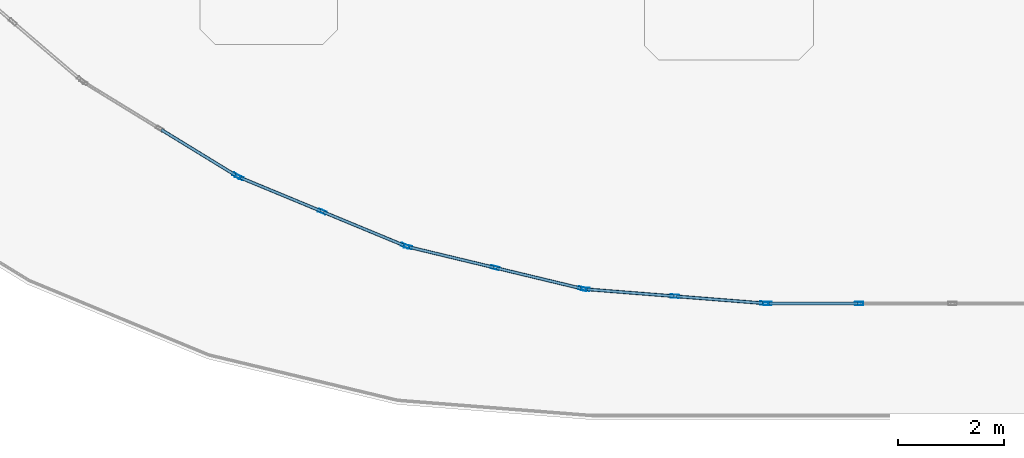
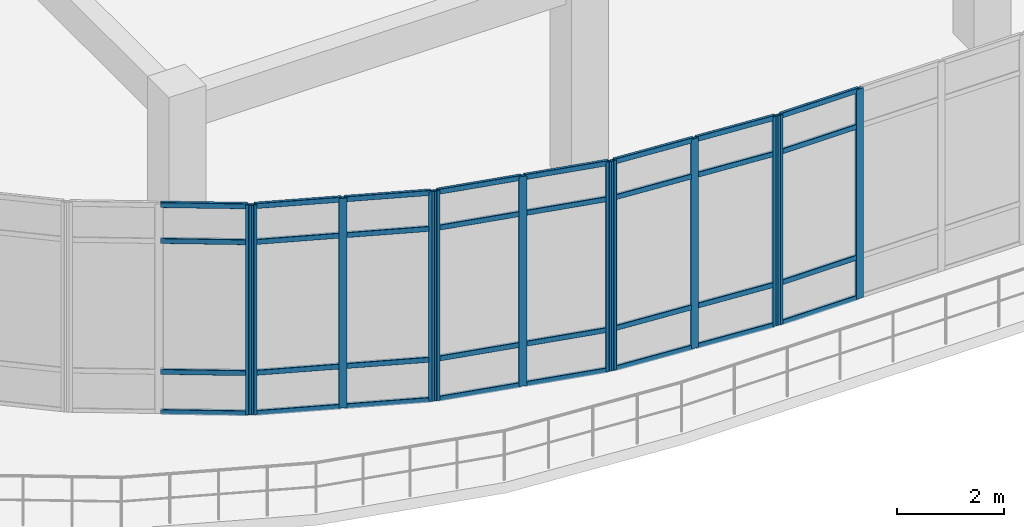
# One storey, part 3 of 124: 44 members, 5 elements without a shape of their own.
"""IFC4 building model written with IfcOpenShell, lengths in metres."""

import ifcopenshell
import ifcopenshell.guid

model = None  # the IFC model being written
_history = None  # IfcOwnerHistory: only IFC2X3 demands one
_inside = {}  # id of a spatial element -> (the spatial element, [elements in it])
_under = {}  # id of a project, library or spatial element -> (it, [spatial elements below it])
_declared = {}  # id of a project -> (the project, [libraries it declares])
_typed = {}  # id of a type object -> (the type object, [elements of that type])
_made_of = {}  # id of a material, layer set ... -> (it, [elements and type objects made of it])


def new_model(schema):
    """Start an empty IFC model of exactly this schema.

    Asked for "IFC4X3", IfcOpenShell would pick the latest addendum, in which some entities
    have other attributes; the version numbers below select the first issue.
    IFC2X3 requires an IfcOwnerHistory on every rooted entity: one is made here for all.
    """
    global model, _history
    if schema == "IFC4X3":
        model = ifcopenshell.file(schema_version=(4, 3, 0, 0))
    else:
        model = ifcopenshell.file(schema=schema)
    _inside.clear()
    _under.clear()
    _declared.clear()
    _typed.clear()
    _made_of.clear()
    _history = None
    if model.schema == "IFC2X3":
        org = make("IfcOrganization", Name="unknown")
        user = make(
            "IfcPersonAndOrganization",
            ThePerson=make("IfcPerson", FamilyName="unknown"),
            TheOrganization=org,
        )
        app = make(
            "IfcApplication",
            ApplicationDeveloper=org,
            Version="unknown",
            ApplicationFullName="unknown",
            ApplicationIdentifier="unknown",
        )
        _history = make(
            "IfcOwnerHistory",
            OwningUser=user,
            OwningApplication=app,
            ChangeAction="ADDED",
            CreationDate=0,
        )
    return model


def make(cls, **values):
    """One entity of the class cls with the attributes given. An attribute that is None is left unset."""
    return model.create_entity(
        cls, **{name: value for name, value in values.items() if value is not None}
    )


def rooted(cls, **values):
    """An entity with a GlobalId (a new one), such as an element, a storey or a relation."""
    return make(cls, GlobalId=ifcopenshell.guid.new(), OwnerHistory=_history, **values)


def si_unit(unit_type, name, prefix=None):
    """IfcSIUnit, for example si_unit("LENGTHUNIT", "METRE", prefix="MILLI")."""
    return make("IfcSIUnit", UnitType=unit_type, Prefix=prefix, Name=name)


def derived_unit(unit_type, elements):
    """IfcDerivedUnit: a product of units, each with its exponent."""
    return make(
        "IfcDerivedUnit",
        Elements=[
            make("IfcDerivedUnitElement", Unit=unit, Exponent=power)
            for unit, power in elements
        ],
        UnitType=unit_type,
    )


def assignment(units):
    """IfcUnitAssignment: the units of a project."""
    return None if units is None else make("IfcUnitAssignment", Units=units)


def point(xyz):
    """IfcCartesianPoint."""
    return None if xyz is None else make("IfcCartesianPoint", Coordinates=xyz)


def direction(xyz):
    """IfcDirection."""
    return None if xyz is None else make("IfcDirection", DirectionRatios=xyz)


def frame(location, z_axis=None, x_axis=None):
    """IfcAxis2Placement3D, a coordinate frame: its origin and axes. An axis left out is left unset."""
    return make(
        "IfcAxis2Placement3D",
        Location=point(location),
        Axis=direction(z_axis),
        RefDirection=direction(x_axis),
    )


def frame_2d(location, x_axis=None):
    """IfcAxis2Placement2D, a coordinate frame in the plane: its origin and x axis."""
    return make(
        "IfcAxis2Placement2D", Location=point(location), RefDirection=direction(x_axis)
    )


def origin():
    """The frame at (0, 0, 0) with its axes left unset."""
    return frame((0.0, 0.0, 0.0))


def origin_2d():
    """The frame at (0, 0) in the plane with its x axis left unset."""
    return frame_2d((0.0, 0.0))


def place(relative_to, where):
    """IfcLocalPlacement: puts the frame where relative to a parent placement (None: the world)."""
    return make(
        "IfcLocalPlacement", PlacementRelTo=relative_to, RelativePlacement=where
    )


def context(
    kind, dimensions, precision=None, world=None, true_north=None, identifier=None
):
    """IfcGeometricRepresentationContext, for example the 3D "Model" context."""
    return make(
        "IfcGeometricRepresentationContext",
        ContextIdentifier=identifier,
        ContextType=kind,
        CoordinateSpaceDimension=dimensions,
        Precision=precision,
        WorldCoordinateSystem=world,
        TrueNorth=true_north,
    )


def subcontext(parent, identifier, kind, view, scale=None):
    """IfcGeometricRepresentationSubContext, for example "Body" below "Model"."""
    return make(
        "IfcGeometricRepresentationSubContext",
        ContextIdentifier=identifier,
        ContextType=kind,
        ParentContext=parent,
        TargetScale=scale,
        TargetView=view,
    )


def project(units=None, contexts=None):
    """IfcProject with its units and contexts."""
    return rooted(
        "IfcProject",
        Name="project",
        RepresentationContexts=contexts,
        UnitsInContext=assignment(units),
    )


def spatial(cls, under=None, at=None, **own):
    """A site, building, storey or space (cls), placed at a placement, below another one or the project."""
    s = rooted(cls, ObjectPlacement=at, **own)
    if under is not None:
        _under.setdefault(under.id(), (under, []))[1].append(s)
    return s


def profile(cls, at=None, kind="AREA", **sizes):
    """A parametric profile (cls). Its sizes go by their IFC names, for example OverallWidth=200.0."""
    return make(cls, ProfileType=kind, Position=at, **sizes)


def hollow_rectangle(**sizes):
    """IfcRectangleHollowProfileDef."""
    return profile("IfcRectangleHollowProfileDef", **sizes)


def extrude(swept, where, along, depth):
    """IfcExtrudedAreaSolid: the profile swept, set in the frame where, extruded along a direction by depth."""
    return make(
        "IfcExtrudedAreaSolid",
        SweptArea=swept,
        Position=where,
        ExtrudedDirection=direction(along),
        Depth=depth,
    )


def shape(context_of_items, identifier, shape_type, items):
    """IfcShapeRepresentation: the items that make up one representation, for example the "Body"."""
    return make(
        "IfcShapeRepresentation",
        ContextOfItems=context_of_items,
        RepresentationIdentifier=identifier,
        RepresentationType=shape_type,
        Items=items,
    )


def material(Name=None, Category=None):
    """IfcMaterial."""
    return make("IfcMaterial", Name=Name, Category=Category)


def layer(
    of_material, thickness, ventilated=None, Name=None, Category=None, Priority=None
):
    """IfcMaterialLayer: one layer of a wall or slab, of a material (None: an air gap)."""
    return make(
        "IfcMaterialLayer",
        Material=of_material,
        LayerThickness=thickness,
        IsVentilated=ventilated,
        Name=Name,
        Category=Category,
        Priority=Priority,
    )


def layer_set(layers, Name=None):
    """IfcMaterialLayerSet."""
    return make("IfcMaterialLayerSet", MaterialLayers=layers, LayerSetName=Name)


def material_profile(
    of_material, cross_section, Name=None, Category=None, Priority=None
):
    """IfcMaterialProfile: a cross section and its material."""
    return make(
        "IfcMaterialProfile",
        Name=Name,
        Material=of_material,
        Profile=cross_section,
        Priority=Priority,
        Category=Category,
    )


def profile_set(profiles, Name=None, composite=None):
    """IfcMaterialProfileSet."""
    return make(
        "IfcMaterialProfileSet",
        Name=Name,
        MaterialProfiles=profiles,
        CompositeProfile=composite,
    )


def made_of(thing, what):
    """Note that an element or type object is made of a material, layer set ...; save() writes the relation."""
    if what is not None:
        _made_of.setdefault(what.id(), (what, []))[1].append(thing)
    return thing


def type_object(cls, material=None, **own):
    """A type object (cls), such as IfcWallType, which elements share."""
    return made_of(rooted(cls, **own), material)


def element(
    cls,
    number,
    at=None,
    inside=None,
    cuts=None,
    type_object=None,
    material=None,
    context=None,
    identifier="Body",
    shape_type=None,
    held_by="IfcProductDefinitionShape",
    body=None,
    shapes=None,
    **own,
):
    """One element of the class cls, such as IfcWall. Its Tag is "e" and its number.

    at: its placement. inside: the storey or other place that contains it. cuts: it is an
    opening in that element (IfcRelVoidsElement). A single representation is given by context,
    identifier, shape_type and body (its items); several are given by shapes. held_by: the class
    of the entity that holds the representations. save() writes the other relations.
    """
    e = rooted(cls, Tag="e%d" % number, ObjectPlacement=at, **own)
    if body is not None:
        shapes = [shape(context, identifier, shape_type, body)]
    if shapes is not None:
        e.Representation = make(held_by, Representations=shapes)
    if inside is not None:
        _inside.setdefault(inside.id(), (inside, []))[1].append(e)
    if cuts is not None:
        rooted(
            "IfcRelVoidsElement", RelatingBuildingElement=cuts, RelatedOpeningElement=e
        )
    if type_object is not None:
        _typed.setdefault(type_object.id(), (type_object, []))[1].append(e)
    return made_of(e, material)


def aggregate(whole, parts):
    """IfcRelAggregates: a whole, such as a stair, and the parts it consists of."""
    return rooted("IfcRelAggregates", RelatingObject=whole, RelatedObjects=parts)


def save(model, path):
    """Write the relations noted so far, then the file.

    IfcRelAggregates (storeys below a building ...), IfcRelContainedInSpatialStructure (elements
    in a storey), IfcRelDefinesByType, IfcRelAssociatesMaterial and IfcRelDeclares: one each for
    every whole, place, type object, material and project.
    """
    for whole, parts in _under.values():
        aggregate(whole, parts)
    for where, things in _inside.values():
        rooted(
            "IfcRelContainedInSpatialStructure",
            RelatedElements=things,
            RelatingStructure=where,
        )
    for kind, things in _typed.values():
        rooted("IfcRelDefinesByType", RelatedObjects=things, RelatingType=kind)
    for what, things in _made_of.values():
        rooted("IfcRelAssociatesMaterial", RelatedObjects=things, RelatingMaterial=what)
    for by, libraries in _declared.values():
        rooted("IfcRelDeclares", RelatingContext=by, RelatedDefinitions=libraries)
    model.write(path)


model = new_model("IFC4")

# Units and contexts
model_context = context("Model", 3, precision=1e-05, world=origin(), true_north=direction((0.0, 1.0)))
body_context = subcontext(model_context, "Body", "Model", "MODEL_VIEW")
ifc_project = project(units=[si_unit("LENGTHUNIT", "METRE"), si_unit("AREAUNIT", "SQUARE_METRE"), si_unit("VOLUMEUNIT", "CUBIC_METRE"), si_unit("PLANEANGLEUNIT", "RADIAN"), si_unit("MASSUNIT", "GRAM", prefix="KILO"), derived_unit("THERMALTRANSMITTANCEUNIT", [(si_unit("MASSUNIT", "GRAM", prefix="KILO"), 1), (si_unit("TIMEUNIT", "SECOND"), -3), (si_unit("THERMODYNAMICTEMPERATUREUNIT", "KELVIN"), -1)])], contexts=[model_context])

# Site, building, storey
site_placement = place(None, origin())
site = spatial("IfcSite", under=ifc_project, at=site_placement, CompositionType="ELEMENT")
building_placement = place(site_placement, origin())
building = spatial("IfcBuilding", under=site, at=building_placement, Name="Qinzheling Arcade Emporium", CompositionType="ELEMENT")
storey_placement = place(building_placement, frame((0.0, 0.0, 16.5)))
storey = spatial("IfcBuildingStorey", under=building, at=storey_placement, Name="L04", CompositionType="ELEMENT", Elevation=16.5)

# Curtain wall, members
ifc_material_1 = material(Name="Anodised aluminium and solar-control double glazing", Category="aluminium")
ifc_layer_1 = layer(ifc_material_1, 0.159912109375, Name="Anodised aluminium and solar-control double glazing", Category="aluminium")
ifc_layer_set_1 = layer_set([ifc_layer_1], Name="Anodised aluminium and solar-control double glazing")
curtain_wall_type_1 = type_object("IfcCurtainWallType", Name="Arcade Portal Glazed Curtain Wall", PredefinedType="NOTDEFINED", material=ifc_layer_set_1)
curtain_wall_1_placement = place(storey_placement, origin())
curtain_wall_1 = element("IfcCurtainWall", 1, at=curtain_wall_1_placement, inside=storey, type_object=curtain_wall_type_1, Name="Curtain Wall CW-L04-224", PredefinedType="NOTDEFINED")
ifc_material_2 = material(Name="Anodised aluminium 6063-T6", Category="aluminium")
ifc_material_profile_1 = material_profile(ifc_material_2, hollow_rectangle(XDim=0.06005859375, YDim=0.159912109375, WallThickness=0.00390625, InnerFilletRadius=0.00390625, OuterFilletRadius=0.008056640625, at=origin_2d()), Name="RHS 160x60x4", Category="aluminium")
ifc_profile_set_1 = profile_set([ifc_material_profile_1], Name="Anodised aluminium 6063-T6")
member_type_1 = type_object("IfcMemberType", Name="Curtain Wall Mullion RHS160x60", PredefinedType="MULLION", material=ifc_profile_set_1)
member_1_placement = place(storey_placement, frame((28.564453125, 2.199951171875, 0.0), z_axis=(0.0, 0.0, 1.0), x_axis=(0.0, -1.0, 0.0)))
member_1 = element("IfcMember", 2, at=member_1_placement, type_object=member_type_1, Name="CW05 mullion 4", PredefinedType="MULLION", context=body_context, shape_type="SweptSolid", body=[
    extrude(hollow_rectangle(XDim=0.06005859375, YDim=0.159912109375, WallThickness=0.00390625, InnerFilletRadius=0.00390625, OuterFilletRadius=0.008056640625, at=origin_2d()), origin(), (0.0, 0.0, 1.0), 4.7900390625),
])
member_2_placement = place(storey_placement, frame((26.830078125, 2.199951171875, 0.0), z_axis=(0.0, 0.0, 1.0), x_axis=(0.0, -1.0, 0.0)))
member_2 = element("IfcMember", 3, at=member_2_placement, type_object=member_type_1, Name="CW05 mullion 5", PredefinedType="MULLION", context=body_context, shape_type="SweptSolid", body=[
    extrude(hollow_rectangle(XDim=0.06005859375, YDim=0.159912109375, WallThickness=0.00390625, InnerFilletRadius=0.00390625, OuterFilletRadius=0.008056640625, at=origin_2d()), origin(), (0.0, 0.0, 1.0), 4.7900390625),
])

ifc_layer_2 = layer(ifc_material_1, 0.159912109375, Name="Anodised aluminium and solar-control double glazing", Category="aluminium")
ifc_layer_set_2 = layer_set([ifc_layer_2], Name="Anodised aluminium and solar-control double glazing")
curtain_wall_type_2 = type_object("IfcCurtainWallType", Name="Curved Ribbon Sales Curtain Wall", PredefinedType="NOTDEFINED", material=ifc_layer_set_2)
curtain_wall_2_placement = place(storey_placement, origin())
curtain_wall_2 = element("IfcCurtainWall", 4, at=curtain_wall_2_placement, inside=storey, type_object=curtain_wall_type_2, Name="Curtain Wall CW-L04-225", PredefinedType="NOTDEFINED")
member_3_placement = place(storey_placement, frame((26.77001953125, 2.202392578125, 0.0), z_axis=(0.0, 0.0, 1.0), x_axis=(-0.078490392152, -0.996914870157, 0.0)))
member_3 = element("IfcMember", 5, at=member_3_placement, type_object=member_type_1, Name="CW02 mullion 1", PredefinedType="MULLION", context=body_context, shape_type="SweptSolid", body=[
    extrude(hollow_rectangle(XDim=0.06005859375, YDim=0.159912109375, WallThickness=0.00390625, InnerFilletRadius=0.00390625, OuterFilletRadius=0.008056640625, at=origin_2d()), origin(), (0.0, 0.0, 1.0), 4.7900390625),
])
member_4_placement = place(storey_placement, frame((25.0791015625, 2.33544921875, 0.0), z_axis=(0.0, 0.0, 1.0), x_axis=(-0.078490392152, -0.996914870157, 0.0)))
member_4 = element("IfcMember", 6, at=member_4_placement, type_object=member_type_1, Name="CW02 mullion 2", PredefinedType="MULLION", context=body_context, shape_type="SweptSolid", body=[
    extrude(hollow_rectangle(XDim=0.06005859375, YDim=0.159912109375, WallThickness=0.00390625, InnerFilletRadius=0.00390625, OuterFilletRadius=0.008056640625, at=origin_2d()), origin(), (0.0, 0.0, 1.0), 4.7900390625),
])
member_5_placement = place(storey_placement, frame((23.387939453125, 2.46875, 0.0), z_axis=(0.0, 0.0, 1.0), x_axis=(-0.078490392152, -0.996914870157, 0.0)))
member_5 = element("IfcMember", 7, at=member_5_placement, type_object=member_type_1, Name="CW02 mullion 3", PredefinedType="MULLION", context=body_context, shape_type="SweptSolid", body=[
    extrude(hollow_rectangle(XDim=0.06005859375, YDim=0.159912109375, WallThickness=0.00390625, InnerFilletRadius=0.00390625, OuterFilletRadius=0.008056640625, at=origin_2d()), origin(), (0.0, 0.0, 1.0), 4.7900390625),
])

curtain_wall_3_placement = place(storey_placement, origin())
curtain_wall_3 = element("IfcCurtainWall", 8, at=curtain_wall_3_placement, inside=storey, type_object=curtain_wall_type_2, Name="Curtain Wall CW-L04-226", PredefinedType="NOTDEFINED")
member_6_placement = place(storey_placement, frame((23.328857421875, 2.47802734375, 0.0), z_axis=(0.0, 0.0, 1.0), x_axis=(-0.23352636444, -0.97235047031, 0.0)))
member_6 = element("IfcMember", 9, at=member_6_placement, type_object=member_type_1, Name="CW02 mullion 1", PredefinedType="MULLION", context=body_context, shape_type="SweptSolid", body=[
    extrude(hollow_rectangle(XDim=0.06005859375, YDim=0.159912109375, WallThickness=0.00390625, InnerFilletRadius=0.00390625, OuterFilletRadius=0.008056640625, at=origin_2d()), origin(), (0.0, 0.0, 1.0), 4.7900390625),
])
member_7_placement = place(storey_placement, frame((21.679931640625, 2.8740234375, 0.0), z_axis=(0.0, 0.0, 1.0), x_axis=(-0.23352636444, -0.97235047031, 0.0)))
member_7 = element("IfcMember", 10, at=member_7_placement, type_object=member_type_1, Name="CW02 mullion 2", PredefinedType="MULLION", context=body_context, shape_type="SweptSolid", body=[
    extrude(hollow_rectangle(XDim=0.06005859375, YDim=0.159912109375, WallThickness=0.00390625, InnerFilletRadius=0.00390625, OuterFilletRadius=0.008056640625, at=origin_2d()), origin(), (0.0, 0.0, 1.0), 4.7900390625),
])
member_8_placement = place(storey_placement, frame((20.03125, 3.27001953125, 0.0), z_axis=(0.0, 0.0, 1.0), x_axis=(-0.23352636444, -0.97235047031, 0.0)))
member_8 = element("IfcMember", 11, at=member_8_placement, type_object=member_type_1, Name="CW02 mullion 3", PredefinedType="MULLION", context=body_context, shape_type="SweptSolid", body=[
    extrude(hollow_rectangle(XDim=0.06005859375, YDim=0.159912109375, WallThickness=0.00390625, InnerFilletRadius=0.00390625, OuterFilletRadius=0.008056640625, at=origin_2d()), origin(), (0.0, 0.0, 1.0), 4.7900390625),
])

curtain_wall_4_placement = place(storey_placement, origin())
curtain_wall_4 = element("IfcCurtainWall", 12, at=curtain_wall_4_placement, inside=storey, type_object=curtain_wall_type_2, Name="Curtain Wall CW-L04-227", PredefinedType="NOTDEFINED")
member_9_placement = place(storey_placement, frame((19.974365234375, 3.28857421875, 0.0), z_axis=(0.0, 0.0, 1.0), x_axis=(-0.382599065793, -0.923914473777, 0.0)))
member_9 = element("IfcMember", 13, at=member_9_placement, type_object=member_type_1, Name="CW02 mullion 1", PredefinedType="MULLION", context=body_context, shape_type="SweptSolid", body=[
    extrude(hollow_rectangle(XDim=0.06005859375, YDim=0.159912109375, WallThickness=0.00390625, InnerFilletRadius=0.00390625, OuterFilletRadius=0.008056640625, at=origin_2d()), origin(), (0.0, 0.0, 1.0), 4.7900390625),
])
member_10_placement = place(storey_placement, frame((18.406982421875, 3.9375, 0.0), z_axis=(0.0, 0.0, 1.0), x_axis=(-0.382599065793, -0.923914473777, 0.0)))
member_10 = element("IfcMember", 14, at=member_10_placement, type_object=member_type_1, Name="CW02 mullion 2", PredefinedType="MULLION", context=body_context, shape_type="SweptSolid", body=[
    extrude(hollow_rectangle(XDim=0.06005859375, YDim=0.159912109375, WallThickness=0.00390625, InnerFilletRadius=0.00390625, OuterFilletRadius=0.008056640625, at=origin_2d()), origin(), (0.0, 0.0, 1.0), 4.7900390625),
])
member_11_placement = place(storey_placement, frame((16.839599609375, 4.58642578125, 0.0), z_axis=(0.0, 0.0, 1.0), x_axis=(-0.382599065793, -0.923914473777, 0.0)))
member_11 = element("IfcMember", 15, at=member_11_placement, type_object=member_type_1, Name="CW02 mullion 3", PredefinedType="MULLION", context=body_context, shape_type="SweptSolid", body=[
    extrude(hollow_rectangle(XDim=0.06005859375, YDim=0.159912109375, WallThickness=0.00390625, InnerFilletRadius=0.00390625, OuterFilletRadius=0.008056640625, at=origin_2d()), origin(), (0.0, 0.0, 1.0), 4.7900390625),
])

# Curtain wall, member
curtain_wall_5_placement = place(storey_placement, origin())
curtain_wall_5 = element("IfcCurtainWall", 16, at=curtain_wall_5_placement, inside=storey, type_object=curtain_wall_type_2, Name="Curtain Wall CW-L04-228", PredefinedType="NOTDEFINED")
member_12_placement = place(storey_placement, frame((16.786376953125, 4.61376953125, 0.0), z_axis=(0.0, 0.0, 1.0), x_axis=(-0.522609609161, -0.852572106283, 0.0)))
member_12 = element("IfcMember", 17, at=member_12_placement, type_object=member_type_1, Name="CW02 mullion 1", PredefinedType="MULLION", context=body_context, shape_type="SweptSolid", body=[
    extrude(hollow_rectangle(XDim=0.06005859375, YDim=0.159912109375, WallThickness=0.00390625, InnerFilletRadius=0.00390625, OuterFilletRadius=0.008056640625, at=origin_2d()), origin(), (0.0, 0.0, 1.0), 4.7900390625),
])

# Member
ifc_material_profile_2 = material_profile(ifc_material_2, hollow_rectangle(XDim=0.06005859375, YDim=0.1201171875, WallThickness=0.00390625, InnerFilletRadius=0.00390625, OuterFilletRadius=0.008056640625, at=origin_2d()), Name="RHS 120x60x4", Category="aluminium")
ifc_profile_set_2 = profile_set([ifc_material_profile_2], Name="Anodised aluminium 6063-T6")
member_type_2 = type_object("IfcMemberType", Name="Curtain Wall Transom RHS120x60", PredefinedType="USERDEFINED", material=ifc_profile_set_2)
member_13_placement = place(storey_placement, frame((28.534423828125, 2.199951171875, 0.030029296875), z_axis=(-1.0, 0.0, 0.0), x_axis=(0.0, -1.0, 0.0)))
member_13 = element("IfcMember", 18, at=member_13_placement, type_object=member_type_2, Name="CW05 transom 4.1", ObjectType="TRANSOM", PredefinedType="USERDEFINED", context=body_context, shape_type="SweptSolid", body=[
    extrude(hollow_rectangle(XDim=0.06005859375, YDim=0.1201171875, WallThickness=0.00390625, InnerFilletRadius=0.00390625, OuterFilletRadius=0.008056640625, at=origin_2d()), origin(), (0.0, 0.0, 1.0), 1.67431640625),
])

member_14_placement = place(storey_placement, frame((28.534423828125, 2.199951171875, 0.949951171875), z_axis=(-1.0, 0.0, 0.0), x_axis=(0.0, -1.0, 0.0)))
member_14 = element("IfcMember", 19, at=member_14_placement, type_object=member_type_2, Name="CW05 transom 4.2", ObjectType="TRANSOM", PredefinedType="USERDEFINED", context=body_context, shape_type="SweptSolid", body=[
    extrude(hollow_rectangle(XDim=0.06005859375, YDim=0.1201171875, WallThickness=0.00390625, InnerFilletRadius=0.00390625, OuterFilletRadius=0.008056640625, at=origin_2d()), origin(), (0.0, 0.0, 1.0), 1.67431640625),
])

member_15_placement = place(storey_placement, frame((28.534423828125, 2.199951171875, 3.93994140625), z_axis=(-1.0, 0.0, 0.0), x_axis=(0.0, -1.0, 0.0)))
member_15 = element("IfcMember", 20, at=member_15_placement, type_object=member_type_2, Name="CW05 transom 4.3", ObjectType="TRANSOM", PredefinedType="USERDEFINED", context=body_context, shape_type="SweptSolid", body=[
    extrude(hollow_rectangle(XDim=0.06005859375, YDim=0.1201171875, WallThickness=0.00390625, InnerFilletRadius=0.00390625, OuterFilletRadius=0.008056640625, at=origin_2d()), origin(), (0.0, 0.0, 1.0), 1.67431640625),
])

member_16_placement = place(storey_placement, frame((28.534423828125, 2.199951171875, 4.760009765625), z_axis=(-1.0, 0.0, 0.0), x_axis=(0.0, -1.0, 0.0)))
member_16 = element("IfcMember", 21, at=member_16_placement, type_object=member_type_2, Name="CW05 transom 4.4", ObjectType="TRANSOM", PredefinedType="USERDEFINED", context=body_context, shape_type="SweptSolid", body=[
    extrude(hollow_rectangle(XDim=0.06005859375, YDim=0.1201171875, WallThickness=0.00390625, InnerFilletRadius=0.00390625, OuterFilletRadius=0.008056640625, at=origin_2d()), origin(), (0.0, 0.0, 1.0), 1.67431640625),
])

aggregate(curtain_wall_1, [member_1, member_2, member_13, member_14, member_15, member_16])

member_17_placement = place(storey_placement, frame((26.740234375, 2.20458984375, 0.030029296875), z_axis=(-0.996904306336, 0.078624449183, 0.0), x_axis=(-0.078624449183, -0.996904306336, 0.0)))
member_17 = element("IfcMember", 22, at=member_17_placement, type_object=member_type_2, Name="CW02 transom 1.1", ObjectType="TRANSOM", PredefinedType="USERDEFINED", context=body_context, shape_type="SweptSolid", body=[
    extrude(hollow_rectangle(XDim=0.06005859375, YDim=0.1201171875, WallThickness=0.00390625, InnerFilletRadius=0.00390625, OuterFilletRadius=0.008056640625, at=origin_2d()), origin(), (0.0, 0.0, 1.0), 1.636474609375),
])

member_18_placement = place(storey_placement, frame((26.740234375, 2.20458984375, 0.949951171875), z_axis=(-0.996904306336, 0.078624449183, 0.0), x_axis=(-0.078624449183, -0.996904306336, 0.0)))
member_18 = element("IfcMember", 23, at=member_18_placement, type_object=member_type_2, Name="CW02 transom 1.2", ObjectType="TRANSOM", PredefinedType="USERDEFINED", context=body_context, shape_type="SweptSolid", body=[
    extrude(hollow_rectangle(XDim=0.06005859375, YDim=0.1201171875, WallThickness=0.00390625, InnerFilletRadius=0.00390625, OuterFilletRadius=0.008056640625, at=origin_2d()), origin(), (0.0, 0.0, 1.0), 1.636474609375),
])

member_19_placement = place(storey_placement, frame((26.740234375, 2.20458984375, 3.93994140625), z_axis=(-0.996904306336, 0.078624449183, 0.0), x_axis=(-0.078624449183, -0.996904306336, 0.0)))
member_19 = element("IfcMember", 24, at=member_19_placement, type_object=member_type_2, Name="CW02 transom 1.3", ObjectType="TRANSOM", PredefinedType="USERDEFINED", context=body_context, shape_type="SweptSolid", body=[
    extrude(hollow_rectangle(XDim=0.06005859375, YDim=0.1201171875, WallThickness=0.00390625, InnerFilletRadius=0.00390625, OuterFilletRadius=0.008056640625, at=origin_2d()), origin(), (0.0, 0.0, 1.0), 1.636474609375),
])

member_20_placement = place(storey_placement, frame((26.740234375, 2.20458984375, 4.760009765625), z_axis=(-0.996904306336, 0.078624449183, 0.0), x_axis=(-0.078624449183, -0.996904306336, 0.0)))
member_20 = element("IfcMember", 25, at=member_20_placement, type_object=member_type_2, Name="CW02 transom 1.4", ObjectType="TRANSOM", PredefinedType="USERDEFINED", context=body_context, shape_type="SweptSolid", body=[
    extrude(hollow_rectangle(XDim=0.06005859375, YDim=0.1201171875, WallThickness=0.00390625, InnerFilletRadius=0.00390625, OuterFilletRadius=0.008056640625, at=origin_2d()), origin(), (0.0, 0.0, 1.0), 1.636474609375),
])

member_21_placement = place(storey_placement, frame((25.049072265625, 2.337890625, 0.030029296875), z_axis=(-0.996915989312, 0.078476176351, 0.0), x_axis=(-0.078476176351, -0.996915989312, 0.0)))
member_21 = element("IfcMember", 26, at=member_21_placement, type_object=member_type_2, Name="CW02 transom 2.1", ObjectType="TRANSOM", PredefinedType="USERDEFINED", context=body_context, shape_type="SweptSolid", body=[
    extrude(hollow_rectangle(XDim=0.06005859375, YDim=0.1201171875, WallThickness=0.00390625, InnerFilletRadius=0.00390625, OuterFilletRadius=0.008056640625, at=origin_2d()), origin(), (0.0, 0.0, 1.0), 1.636474609375),
])

member_22_placement = place(storey_placement, frame((25.049072265625, 2.337890625, 0.949951171875), z_axis=(-0.996915989312, 0.078476176351, 0.0), x_axis=(-0.078476176351, -0.996915989312, 0.0)))
member_22 = element("IfcMember", 27, at=member_22_placement, type_object=member_type_2, Name="CW02 transom 2.2", ObjectType="TRANSOM", PredefinedType="USERDEFINED", context=body_context, shape_type="SweptSolid", body=[
    extrude(hollow_rectangle(XDim=0.06005859375, YDim=0.1201171875, WallThickness=0.00390625, InnerFilletRadius=0.00390625, OuterFilletRadius=0.008056640625, at=origin_2d()), origin(), (0.0, 0.0, 1.0), 1.636474609375),
])

member_23_placement = place(storey_placement, frame((25.049072265625, 2.337890625, 3.93994140625), z_axis=(-0.996915989312, 0.078476176351, 0.0), x_axis=(-0.078476176351, -0.996915989312, 0.0)))
member_23 = element("IfcMember", 28, at=member_23_placement, type_object=member_type_2, Name="CW02 transom 2.3", ObjectType="TRANSOM", PredefinedType="USERDEFINED", context=body_context, shape_type="SweptSolid", body=[
    extrude(hollow_rectangle(XDim=0.06005859375, YDim=0.1201171875, WallThickness=0.00390625, InnerFilletRadius=0.00390625, OuterFilletRadius=0.008056640625, at=origin_2d()), origin(), (0.0, 0.0, 1.0), 1.636474609375),
])

member_24_placement = place(storey_placement, frame((25.049072265625, 2.337890625, 4.760009765625), z_axis=(-0.996915989312, 0.078476176351, 0.0), x_axis=(-0.078476176351, -0.996915989312, 0.0)))
member_24 = element("IfcMember", 29, at=member_24_placement, type_object=member_type_2, Name="CW02 transom 2.4", ObjectType="TRANSOM", PredefinedType="USERDEFINED", context=body_context, shape_type="SweptSolid", body=[
    extrude(hollow_rectangle(XDim=0.06005859375, YDim=0.1201171875, WallThickness=0.00390625, InnerFilletRadius=0.00390625, OuterFilletRadius=0.008056640625, at=origin_2d()), origin(), (0.0, 0.0, 1.0), 1.636474609375),
])

aggregate(curtain_wall_2, [member_3, member_4, member_5, member_17, member_18, member_19, member_20, member_21, member_22, member_23, member_24])

member_25_placement = place(storey_placement, frame((23.299560546875, 2.485107421875, 0.030029296875), z_axis=(-0.972365618167, 0.233463283208, 0.0), x_axis=(-0.233463283208, -0.972365618167, 0.0)))
member_25 = element("IfcMember", 30, at=member_25_placement, type_object=member_type_2, Name="CW02 transom 1.1", ObjectType="TRANSOM", PredefinedType="USERDEFINED", context=body_context, shape_type="SweptSolid", body=[
    extrude(hollow_rectangle(XDim=0.06005859375, YDim=0.1201171875, WallThickness=0.00390625, InnerFilletRadius=0.00390625, OuterFilletRadius=0.008056640625, at=origin_2d()), origin(), (0.0, 0.0, 1.0), 1.635498046875),
])

member_26_placement = place(storey_placement, frame((23.299560546875, 2.485107421875, 0.949951171875), z_axis=(-0.972365618167, 0.233463283208, 0.0), x_axis=(-0.233463283208, -0.972365618167, 0.0)))
member_26 = element("IfcMember", 31, at=member_26_placement, type_object=member_type_2, Name="CW02 transom 1.2", ObjectType="TRANSOM", PredefinedType="USERDEFINED", context=body_context, shape_type="SweptSolid", body=[
    extrude(hollow_rectangle(XDim=0.06005859375, YDim=0.1201171875, WallThickness=0.00390625, InnerFilletRadius=0.00390625, OuterFilletRadius=0.008056640625, at=origin_2d()), origin(), (0.0, 0.0, 1.0), 1.635498046875),
])

member_27_placement = place(storey_placement, frame((23.299560546875, 2.485107421875, 3.93994140625), z_axis=(-0.972365618167, 0.233463283208, 0.0), x_axis=(-0.233463283208, -0.972365618167, 0.0)))
member_27 = element("IfcMember", 32, at=member_27_placement, type_object=member_type_2, Name="CW02 transom 1.3", ObjectType="TRANSOM", PredefinedType="USERDEFINED", context=body_context, shape_type="SweptSolid", body=[
    extrude(hollow_rectangle(XDim=0.06005859375, YDim=0.1201171875, WallThickness=0.00390625, InnerFilletRadius=0.00390625, OuterFilletRadius=0.008056640625, at=origin_2d()), origin(), (0.0, 0.0, 1.0), 1.635498046875),
])

member_28_placement = place(storey_placement, frame((23.299560546875, 2.485107421875, 4.760009765625), z_axis=(-0.972365618167, 0.233463283208, 0.0), x_axis=(-0.233463283208, -0.972365618167, 0.0)))
member_28 = element("IfcMember", 33, at=member_28_placement, type_object=member_type_2, Name="CW02 transom 1.4", ObjectType="TRANSOM", PredefinedType="USERDEFINED", context=body_context, shape_type="SweptSolid", body=[
    extrude(hollow_rectangle(XDim=0.06005859375, YDim=0.1201171875, WallThickness=0.00390625, InnerFilletRadius=0.00390625, OuterFilletRadius=0.008056640625, at=origin_2d()), origin(), (0.0, 0.0, 1.0), 1.635498046875),
])

member_29_placement = place(storey_placement, frame((21.65087890625, 2.881103515625, 0.030029296875), z_axis=(-0.972373752548, 0.233429401226, 0.0), x_axis=(-0.233429401226, -0.972373752548, 0.0)))
member_29 = element("IfcMember", 34, at=member_29_placement, type_object=member_type_2, Name="CW02 transom 2.1", ObjectType="TRANSOM", PredefinedType="USERDEFINED", context=body_context, shape_type="SweptSolid", body=[
    extrude(hollow_rectangle(XDim=0.06005859375, YDim=0.1201171875, WallThickness=0.00390625, InnerFilletRadius=0.00390625, OuterFilletRadius=0.008056640625, at=origin_2d()), origin(), (0.0, 0.0, 1.0), 1.6357421875),
])

member_30_placement = place(storey_placement, frame((21.65087890625, 2.881103515625, 0.949951171875), z_axis=(-0.972373752548, 0.233429401226, 0.0), x_axis=(-0.233429401226, -0.972373752548, 0.0)))
member_30 = element("IfcMember", 35, at=member_30_placement, type_object=member_type_2, Name="CW02 transom 2.2", ObjectType="TRANSOM", PredefinedType="USERDEFINED", context=body_context, shape_type="SweptSolid", body=[
    extrude(hollow_rectangle(XDim=0.06005859375, YDim=0.1201171875, WallThickness=0.00390625, InnerFilletRadius=0.00390625, OuterFilletRadius=0.008056640625, at=origin_2d()), origin(), (0.0, 0.0, 1.0), 1.6357421875),
])

member_31_placement = place(storey_placement, frame((21.65087890625, 2.881103515625, 3.93994140625), z_axis=(-0.972373752548, 0.233429401226, 0.0), x_axis=(-0.233429401226, -0.972373752548, 0.0)))
member_31 = element("IfcMember", 36, at=member_31_placement, type_object=member_type_2, Name="CW02 transom 2.3", ObjectType="TRANSOM", PredefinedType="USERDEFINED", context=body_context, shape_type="SweptSolid", body=[
    extrude(hollow_rectangle(XDim=0.06005859375, YDim=0.1201171875, WallThickness=0.00390625, InnerFilletRadius=0.00390625, OuterFilletRadius=0.008056640625, at=origin_2d()), origin(), (0.0, 0.0, 1.0), 1.6357421875),
])

member_32_placement = place(storey_placement, frame((21.65087890625, 2.881103515625, 4.760009765625), z_axis=(-0.972373752548, 0.233429401226, 0.0), x_axis=(-0.233429401226, -0.972373752548, 0.0)))
member_32 = element("IfcMember", 37, at=member_32_placement, type_object=member_type_2, Name="CW02 transom 2.4", ObjectType="TRANSOM", PredefinedType="USERDEFINED", context=body_context, shape_type="SweptSolid", body=[
    extrude(hollow_rectangle(XDim=0.06005859375, YDim=0.1201171875, WallThickness=0.00390625, InnerFilletRadius=0.00390625, OuterFilletRadius=0.008056640625, at=origin_2d()), origin(), (0.0, 0.0, 1.0), 1.6357421875),
])

aggregate(curtain_wall_3, [member_6, member_7, member_8, member_25, member_26, member_27, member_28, member_29, member_30, member_31, member_32])

member_33_placement = place(storey_placement, frame((19.946533203125, 3.300048828125, 0.030029296875), z_axis=(-0.923922277842, 0.382580219701, 0.0), x_axis=(-0.382580219701, -0.923922277842, 0.0)))
member_33 = element("IfcMember", 38, at=member_33_placement, type_object=member_type_2, Name="CW02 transom 1.1", ObjectType="TRANSOM", PredefinedType="USERDEFINED", context=body_context, shape_type="SweptSolid", body=[
    extrude(hollow_rectangle(XDim=0.06005859375, YDim=0.1201171875, WallThickness=0.00390625, InnerFilletRadius=0.00390625, OuterFilletRadius=0.008056640625, at=origin_2d()), origin(), (0.0, 0.0, 1.0), 1.63623046875),
])

member_34_placement = place(storey_placement, frame((19.946533203125, 3.300048828125, 0.949951171875), z_axis=(-0.923922277842, 0.382580219701, 0.0), x_axis=(-0.382580219701, -0.923922277842, 0.0)))
member_34 = element("IfcMember", 39, at=member_34_placement, type_object=member_type_2, Name="CW02 transom 1.2", ObjectType="TRANSOM", PredefinedType="USERDEFINED", context=body_context, shape_type="SweptSolid", body=[
    extrude(hollow_rectangle(XDim=0.06005859375, YDim=0.1201171875, WallThickness=0.00390625, InnerFilletRadius=0.00390625, OuterFilletRadius=0.008056640625, at=origin_2d()), origin(), (0.0, 0.0, 1.0), 1.63623046875),
])

member_35_placement = place(storey_placement, frame((19.946533203125, 3.300048828125, 3.93994140625), z_axis=(-0.923922277842, 0.382580219701, 0.0), x_axis=(-0.382580219701, -0.923922277842, 0.0)))
member_35 = element("IfcMember", 40, at=member_35_placement, type_object=member_type_2, Name="CW02 transom 1.3", ObjectType="TRANSOM", PredefinedType="USERDEFINED", context=body_context, shape_type="SweptSolid", body=[
    extrude(hollow_rectangle(XDim=0.06005859375, YDim=0.1201171875, WallThickness=0.00390625, InnerFilletRadius=0.00390625, OuterFilletRadius=0.008056640625, at=origin_2d()), origin(), (0.0, 0.0, 1.0), 1.63623046875),
])

member_36_placement = place(storey_placement, frame((19.946533203125, 3.300048828125, 4.760009765625), z_axis=(-0.923922277842, 0.382580219701, 0.0), x_axis=(-0.382580219701, -0.923922277842, 0.0)))
member_36 = element("IfcMember", 41, at=member_36_placement, type_object=member_type_2, Name="CW02 transom 1.4", ObjectType="TRANSOM", PredefinedType="USERDEFINED", context=body_context, shape_type="SweptSolid", body=[
    extrude(hollow_rectangle(XDim=0.06005859375, YDim=0.1201171875, WallThickness=0.00390625, InnerFilletRadius=0.00390625, OuterFilletRadius=0.008056640625, at=origin_2d()), origin(), (0.0, 0.0, 1.0), 1.63623046875),
])

member_37_placement = place(storey_placement, frame((18.37939453125, 3.948974609375, 0.030029296875), z_axis=(-0.92394411317, 0.382527483638, 0.0), x_axis=(-0.382527483638, -0.92394411317, 0.0)))
member_37 = element("IfcMember", 42, at=member_37_placement, type_object=member_type_2, Name="CW02 transom 2.1", ObjectType="TRANSOM", PredefinedType="USERDEFINED", context=body_context, shape_type="SweptSolid", body=[
    extrude(hollow_rectangle(XDim=0.06005859375, YDim=0.1201171875, WallThickness=0.00390625, InnerFilletRadius=0.00390625, OuterFilletRadius=0.008056640625, at=origin_2d()), origin(), (0.0, 0.0, 1.0), 1.636474609375),
])

member_38_placement = place(storey_placement, frame((18.37939453125, 3.948974609375, 0.949951171875), z_axis=(-0.92394411317, 0.382527483638, 0.0), x_axis=(-0.382527483638, -0.92394411317, 0.0)))
member_38 = element("IfcMember", 43, at=member_38_placement, type_object=member_type_2, Name="CW02 transom 2.2", ObjectType="TRANSOM", PredefinedType="USERDEFINED", context=body_context, shape_type="SweptSolid", body=[
    extrude(hollow_rectangle(XDim=0.06005859375, YDim=0.1201171875, WallThickness=0.00390625, InnerFilletRadius=0.00390625, OuterFilletRadius=0.008056640625, at=origin_2d()), origin(), (0.0, 0.0, 1.0), 1.636474609375),
])

member_39_placement = place(storey_placement, frame((18.37939453125, 3.948974609375, 3.93994140625), z_axis=(-0.92394411317, 0.382527483638, 0.0), x_axis=(-0.382527483638, -0.92394411317, 0.0)))
member_39 = element("IfcMember", 44, at=member_39_placement, type_object=member_type_2, Name="CW02 transom 2.3", ObjectType="TRANSOM", PredefinedType="USERDEFINED", context=body_context, shape_type="SweptSolid", body=[
    extrude(hollow_rectangle(XDim=0.06005859375, YDim=0.1201171875, WallThickness=0.00390625, InnerFilletRadius=0.00390625, OuterFilletRadius=0.008056640625, at=origin_2d()), origin(), (0.0, 0.0, 1.0), 1.636474609375),
])

member_40_placement = place(storey_placement, frame((18.37939453125, 3.948974609375, 4.760009765625), z_axis=(-0.92394411317, 0.382527483638, 0.0), x_axis=(-0.382527483638, -0.92394411317, 0.0)))
member_40 = element("IfcMember", 45, at=member_40_placement, type_object=member_type_2, Name="CW02 transom 2.4", ObjectType="TRANSOM", PredefinedType="USERDEFINED", context=body_context, shape_type="SweptSolid", body=[
    extrude(hollow_rectangle(XDim=0.06005859375, YDim=0.1201171875, WallThickness=0.00390625, InnerFilletRadius=0.00390625, OuterFilletRadius=0.008056640625, at=origin_2d()), origin(), (0.0, 0.0, 1.0), 1.636474609375),
])

aggregate(curtain_wall_4, [member_9, member_10, member_11, member_33, member_34, member_35, member_36, member_37, member_38, member_39, member_40])

member_41_placement = place(storey_placement, frame((16.7607421875, 4.62939453125, 0.030029296875), z_axis=(-0.852569078743, 0.522614548181, 0.0), x_axis=(-0.522614548181, -0.852569078743, 0.0)))
member_41 = element("IfcMember", 46, at=member_41_placement, type_object=member_type_2, Name="CW02 transom 1.1", ObjectType="TRANSOM", PredefinedType="USERDEFINED", context=body_context, shape_type="SweptSolid", body=[
    extrude(hollow_rectangle(XDim=0.06005859375, YDim=0.1201171875, WallThickness=0.00390625, InnerFilletRadius=0.00390625, OuterFilletRadius=0.008056640625, at=origin_2d()), origin(), (0.0, 0.0, 1.0), 1.635986328125),
])

member_42_placement = place(storey_placement, frame((16.7607421875, 4.62939453125, 0.949951171875), z_axis=(-0.852569078743, 0.522614548181, 0.0), x_axis=(-0.522614548181, -0.852569078743, 0.0)))
member_42 = element("IfcMember", 47, at=member_42_placement, type_object=member_type_2, Name="CW02 transom 1.2", ObjectType="TRANSOM", PredefinedType="USERDEFINED", context=body_context, shape_type="SweptSolid", body=[
    extrude(hollow_rectangle(XDim=0.06005859375, YDim=0.1201171875, WallThickness=0.00390625, InnerFilletRadius=0.00390625, OuterFilletRadius=0.008056640625, at=origin_2d()), origin(), (0.0, 0.0, 1.0), 1.635986328125),
])

member_43_placement = place(storey_placement, frame((16.7607421875, 4.62939453125, 3.93994140625), z_axis=(-0.852569078743, 0.522614548181, 0.0), x_axis=(-0.522614548181, -0.852569078743, 0.0)))
member_43 = element("IfcMember", 48, at=member_43_placement, type_object=member_type_2, Name="CW02 transom 1.3", ObjectType="TRANSOM", PredefinedType="USERDEFINED", context=body_context, shape_type="SweptSolid", body=[
    extrude(hollow_rectangle(XDim=0.06005859375, YDim=0.1201171875, WallThickness=0.00390625, InnerFilletRadius=0.00390625, OuterFilletRadius=0.008056640625, at=origin_2d()), origin(), (0.0, 0.0, 1.0), 1.635986328125),
])

member_44_placement = place(storey_placement, frame((16.7607421875, 4.62939453125, 4.760009765625), z_axis=(-0.852569078743, 0.522614548181, 0.0), x_axis=(-0.522614548181, -0.852569078743, 0.0)))
member_44 = element("IfcMember", 49, at=member_44_placement, type_object=member_type_2, Name="CW02 transom 1.4", ObjectType="TRANSOM", PredefinedType="USERDEFINED", context=body_context, shape_type="SweptSolid", body=[
    extrude(hollow_rectangle(XDim=0.06005859375, YDim=0.1201171875, WallThickness=0.00390625, InnerFilletRadius=0.00390625, OuterFilletRadius=0.008056640625, at=origin_2d()), origin(), (0.0, 0.0, 1.0), 1.635986328125),
])

aggregate(curtain_wall_5, [member_12, member_41, member_42, member_43, member_44])

save(model, "model.ifc")
